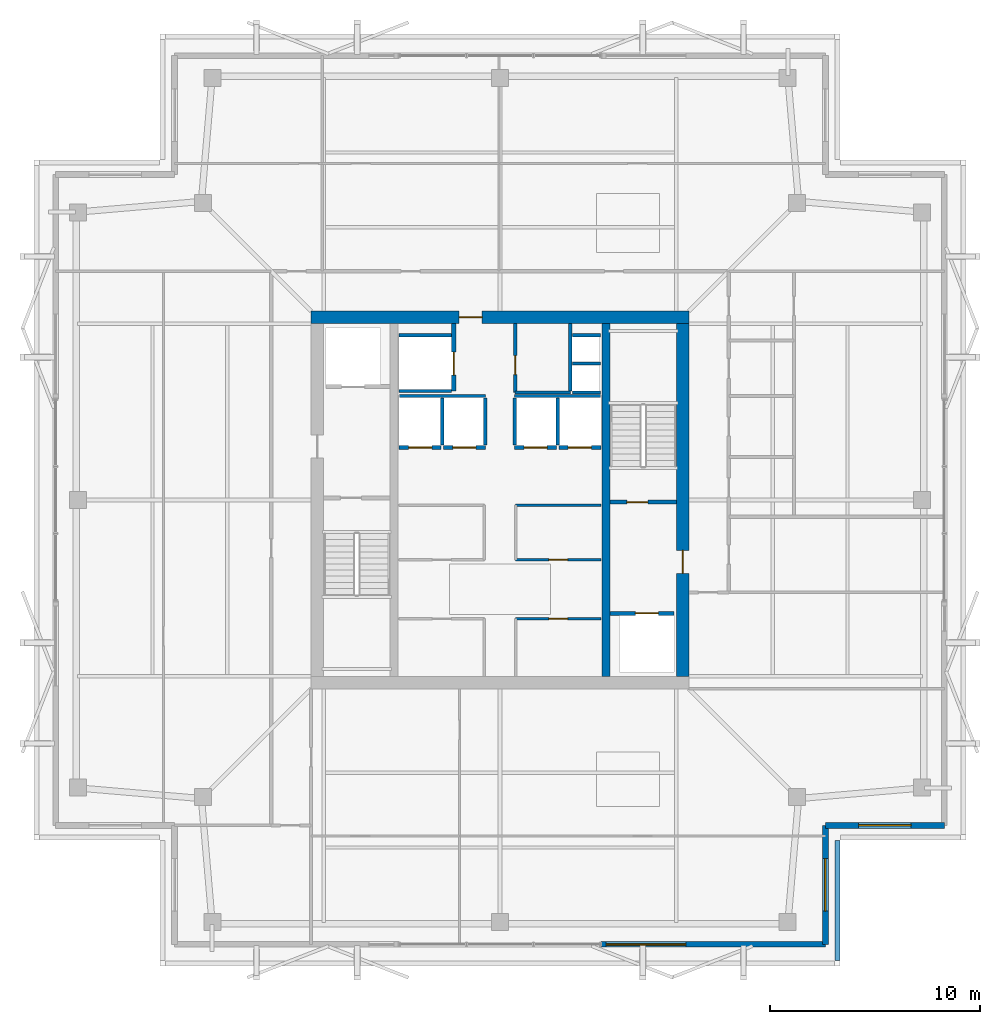
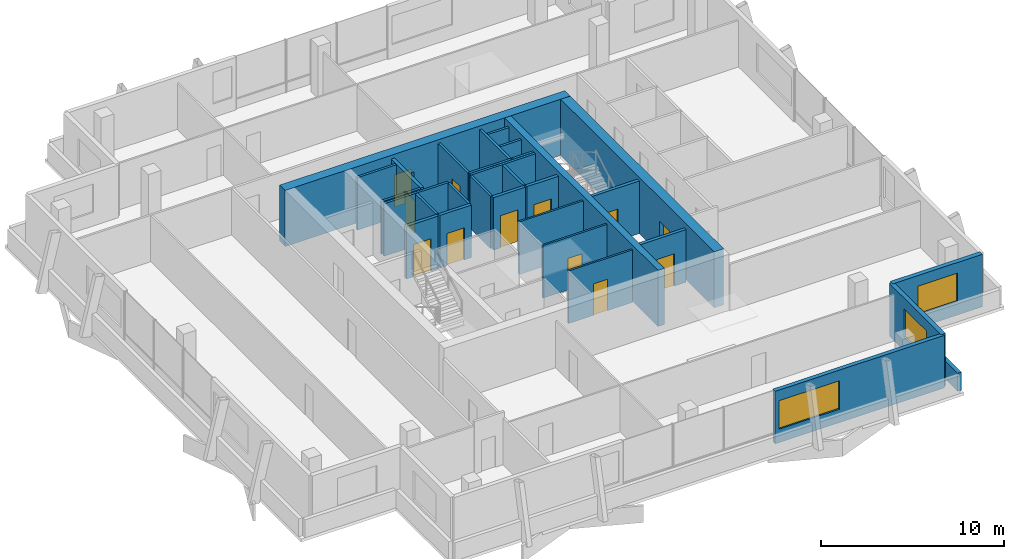
# One storey, part 15 of 18: 31 walls, 12 doors, 3 windows, 15 openings.
"""IFC4 building model written with IfcOpenShell, lengths in metres."""

from ifc_helpers import new_model, si_unit, direction, frame, frame_2d, origin, place, context, subcontext, project, spatial, rectangle, extrude, material, layer, layer_set, type_object, element, fill, save


model = new_model("IFC4")

# Units and contexts
model_context = context("Model", 3, precision=1e-05, world=origin(), true_north=direction((0.0, 1.0)))
body_context = subcontext(model_context, "Body", "Model", "MODEL_VIEW")
ifc_project = project(units=[si_unit("LENGTHUNIT", "METRE"), si_unit("AREAUNIT", "SQUARE_METRE"), si_unit("VOLUMEUNIT", "CUBIC_METRE"), si_unit("PLANEANGLEUNIT", "RADIAN"), si_unit("MASSUNIT", "GRAM", prefix="KILO")], contexts=[model_context])

# Site, building, storey
site_placement = place(None, origin())
site = spatial("IfcSite", under=ifc_project, at=site_placement, CompositionType="ELEMENT")
building_placement = place(site_placement, origin())
building = spatial("IfcBuilding", under=site, at=building_placement, Name="Belovzor Exchange Tower", CompositionType="ELEMENT")
storey_placement = place(building_placement, frame((0.0, 0.0, 344.25)))
storey = spatial("IfcBuildingStorey", under=building, at=storey_placement, Name="L86", CompositionType="ELEMENT", Elevation=344.25)

# Wall, opening, door
ifc_material_1 = material(Name="Fire-Rated Plasterboard on Galvanised Studs", Category="gypsum")
ifc_layer_1 = layer(ifc_material_1, 0.1201171875)
ifc_layer_set_1 = layer_set([ifc_layer_1], Name="Fire-Rated Plasterboard on Galvanised Studs")
wall_type_1 = type_object("IfcWallType", Name="Fire-Rated Double-Stud Partition Wall 120", PredefinedType="PARTITIONING", material=ifc_layer_set_1)
wall_1_placement = place(storey_placement, frame((29.550048828125, 23.14990234375, 0.0), z_axis=(0.0, 0.0, 1.0), x_axis=(1.0, 0.0, 0.0)))
wall_1 = element("IfcWall", 1, at=wall_1_placement, inside=storey, type_object=wall_type_1, Name="W-P120F Partition Wall W-CRL-L86-EN", PredefinedType="PARTITIONING", context=body_context, shape_type="SweptSolid", body=[
    extrude(rectangle(XDim=4.050048828125, YDim=0.1201171875, at=frame_2d((2.02490234375, 0.0))), origin(), (0.0, 0.0, 1.0), 3.510009765625),
])
opening_1_placement = place(wall_1_placement, frame((1.574951171875, 0.0, 0.0)))
opening_1 = element("IfcOpeningElement", 2, at=opening_1_placement, cuts=wall_1, Name="Opening D-FD60-090", PredefinedType="OPENING", context=body_context, shape_type="SweptSolid", body=[
    extrude(rectangle(XDim=0.89990234375, YDim=2.10009765625, at=frame_2d((0.449951171875, 1.050048828125))), frame((0.0, 0.070068359375, 0.0), z_axis=(0.0, -1.0, 0.0), x_axis=(1.0, 0.0, 0.0)), (0.0, 0.0, 1.0), 0.14013671875),
])
ifc_material_2 = material(Name="Acoustic Timber Fire Leaf", Category="wood")
door_type_1 = type_object("IfcDoorType", Name="Core Service & Restroom Fire Door 900x2100", OperationType="NOTDEFINED", PredefinedType="DOOR", material=ifc_material_2)
door_1_placement = place(opening_1_placement, origin())
door_1 = element("IfcDoor", 3, at=door_1_placement, inside=storey, type_object=door_type_1, Name="D-FD60-090 Core Service & Restroom Fire Door 900x2100", OperationType="SINGLE_SWING_RIGHT", OverallHeight=2.10009765625, OverallWidth=0.89990234375, PredefinedType="DOOR", context=body_context, shape_type="SweptSolid", body=[
    extrude(rectangle(XDim=0.89990234375, YDim=2.10009765625, at=frame_2d((0.449951171875, 1.050048828125))), frame((0.0, 0.02490234375, 0.0), z_axis=(0.0, -1.0, 0.0), x_axis=(1.0, 0.0, 0.0)), (0.0, 0.0, 1.0), 0.050048828125),
])
fill(opening_1, door_1)

wall_2_placement = place(storey_placement, frame((29.550048828125, 25.949951171875, 0.0), z_axis=(0.0, 0.0, 1.0), x_axis=(1.0, 0.0, 0.0)))
wall_2 = element("IfcWall", 4, at=wall_2_placement, inside=storey, type_object=wall_type_1, Name="W-P120F Partition Wall W-CRM-L86-ES", PredefinedType="PARTITIONING", context=body_context, shape_type="SweptSolid", body=[
    extrude(rectangle(XDim=4.050048828125, YDim=0.1201171875, at=frame_2d((2.02490234375, 0.0))), origin(), (0.0, 0.0, 1.0), 3.510009765625),
])
opening_2_placement = place(wall_2_placement, frame((1.574951171875, 0.0, 0.0)))
opening_2 = element("IfcOpeningElement", 5, at=opening_2_placement, cuts=wall_2, Name="Opening D-FD60-090", PredefinedType="OPENING", context=body_context, shape_type="SweptSolid", body=[
    extrude(rectangle(XDim=0.89990234375, YDim=2.10009765625, at=frame_2d((0.449951171875, 1.050048828125))), frame((0.0, 0.070068359375, 0.0), z_axis=(0.0, -1.0, 0.0), x_axis=(1.0, 0.0, 0.0)), (0.0, 0.0, 1.0), 0.14013671875),
])
door_2_placement = place(opening_2_placement, origin())
door_2 = element("IfcDoor", 6, at=door_2_placement, inside=storey, type_object=door_type_1, Name="D-FD60-090 Core Service & Restroom Fire Door 900x2100", OperationType="SINGLE_SWING_RIGHT", OverallHeight=2.10009765625, OverallWidth=0.89990234375, PredefinedType="DOOR", context=body_context, shape_type="SweptSolid", body=[
    extrude(rectangle(XDim=0.89990234375, YDim=2.10009765625, at=frame_2d((0.449951171875, 1.050048828125))), frame((0.0, 0.02490234375, 0.0), z_axis=(0.0, -1.0, 0.0), x_axis=(1.0, 0.0, 0.0)), (0.0, 0.0, 1.0), 0.050048828125),
])
fill(opening_2, door_2)

# Wall
wall_3_placement = place(storey_placement, frame((29.550048828125, 28.550048828125, 0.0), z_axis=(0.0, 0.0, 1.0), x_axis=(1.0, 0.0, 0.0)))
element("IfcWall", 7, at=wall_3_placement, inside=storey, type_object=wall_type_1, Name="W-P120F Partition Wall W-CRM-L86-EN", PredefinedType="PARTITIONING", context=body_context, shape_type="SweptSolid", body=[
    extrude(rectangle(XDim=4.050048828125, YDim=0.1201171875, at=frame_2d((2.02490234375, 0.0))), origin(), (0.0, 0.0, 1.0), 3.510009765625),
])

# Wall, opening, door
ifc_material_3 = material(Name="Fire-Rated Gypsum Block and Mineral Wool", Category="gypsum")
ifc_layer_2 = layer(ifc_material_3, 0.14990234375)
ifc_layer_set_2 = layer_set([ifc_layer_2], Name="Fire-Rated Gypsum Block and Mineral Wool")
wall_type_2 = type_object("IfcWallType", Name="Fire-Rated Gypsum Block Corridor Wall 150", PredefinedType="PARTITIONING", material=ifc_layer_set_2)
wall_4_placement = place(storey_placement, frame((29.52490234375, 33.925048828125, 0.0), z_axis=(0.0, 0.0, 1.0), x_axis=(0.0, 1.0, 0.0)))
wall_4 = element("IfcWall", 8, at=wall_4_placement, inside=storey, type_object=wall_type_2, Name="W-P150 Partition Wall W-CRV-L86-W", PredefinedType="PARTITIONING", context=body_context, shape_type="SweptSolid", body=[
    extrude(rectangle(XDim=3.27490234375, YDim=0.14990234375, at=frame_2d((1.637451171875, 0.0))), origin(), (0.0, 0.0, 1.0), 3.510009765625),
])
opening_3_placement = place(wall_4_placement, frame((0.85009765625, 0.0, 0.0)))
opening_3 = element("IfcOpeningElement", 9, at=opening_3_placement, cuts=wall_4, Name="Opening D-FD60-090", PredefinedType="OPENING", context=body_context, shape_type="SweptSolid", body=[
    extrude(rectangle(XDim=0.89990234375, YDim=2.10009765625, at=frame_2d((0.449951171875, 1.050048828125))), frame((0.0, 0.0849609375, 0.0), z_axis=(0.0, -1.0, 0.0), x_axis=(1.0, 0.0, 0.0)), (0.0, 0.0, 1.0), 0.169921875),
])
door_3_placement = place(opening_3_placement, origin())
door_3 = element("IfcDoor", 10, at=door_3_placement, inside=storey, type_object=door_type_1, Name="D-FD60-090 Core Service & Restroom Fire Door 900x2100", OperationType="SINGLE_SWING_LEFT", OverallHeight=2.10009765625, OverallWidth=0.89990234375, PredefinedType="DOOR", context=body_context, shape_type="SweptSolid", body=[
    extrude(rectangle(XDim=0.89990234375, YDim=2.10009765625, at=frame_2d((0.449951171875, 1.050048828125))), frame((0.0, 0.02490234375, 0.0), z_axis=(0.0, -1.0, 0.0), x_axis=(1.0, 0.0, 0.0)), (0.0, 0.0, 1.0), 0.050048828125),
])
fill(opening_3, door_3)

# Wall
wall_5_placement = place(storey_placement, frame((29.52490234375, 33.925048828125, 0.0), z_axis=(0.0, 0.0, 1.0), x_axis=(1.0, 0.0, 0.0)))
element("IfcWall", 11, at=wall_5_placement, inside=storey, type_object=wall_type_2, Name="W-P150 Partition Wall W-CRV-L86-S", PredefinedType="PARTITIONING", context=body_context, shape_type="SweptSolid", body=[
    extrude(rectangle(XDim=2.625, YDim=0.14990234375, at=frame_2d((1.3125, 0.0))), origin(), (0.0, 0.0, 1.0), 3.510009765625),
])

# Wall, opening, window
ifc_material_4 = material(Name="Precast concrete C40/50", Category="concrete")
ifc_layer_3 = layer(ifc_material_4, 0.280029296875)
ifc_layer_set_3 = layer_set([ifc_layer_3], Name="Precast concrete C40/50")
wall_type_3 = type_object("IfcWallType", Name="Precast Concrete Notched Corner Frame Wall 280", PredefinedType="SOLIDWALL", material=ifc_layer_set_3)
wall_6_placement = place(storey_placement, frame((49.969970703125, 13.300048828125, 0.0), z_axis=(0.0, 0.0, 1.0), x_axis=(-1.0, 0.0, 0.0)))
wall_6 = element("IfcWall", 12, at=wall_6_placement, inside=storey, type_object=wall_type_3, Name="W-CRN280 Precast Concrete Notched Corner Frame Wall 280 L86", PredefinedType="SOLIDWALL", context=body_context, shape_type="SweptSolid", body=[
    extrude(rectangle(XDim=5.669921875, YDim=0.280029296875, at=frame_2d((2.8349609375, 0.0))), origin(), (0.0, 0.0, 1.0), 3.510009765625),
])
opening_4_placement = place(wall_6_placement, frame((1.5849609375, 0.0, 0.89990234375)))
opening_4 = element("IfcOpeningElement", 13, at=opening_4_placement, cuts=wall_6, Name="Opening WN-CRN250", PredefinedType="OPENING", context=body_context, shape_type="SweptSolid", body=[
    extrude(rectangle(XDim=2.5, YDim=1.89990234375, at=frame_2d((1.25, 0.949951171875))), frame((0.0, 0.14990234375, 0.0), z_axis=(0.0, -1.0, 0.0), x_axis=(1.0, 0.0, 0.0)), (0.0, 0.0, 1.0), 0.300048828125),
])
ifc_material_5 = material(Name="Thermally Broken Aluminium and Triple Glazing", Category="aluminium")
window_type_1 = type_object("IfcWindowType", Name="Streamline Moderne Corner Wrap Ribbon Window 2500x1900", PartitioningType="SINGLE_PANEL", PredefinedType="WINDOW", material=ifc_material_5)
window_1_placement = place(opening_4_placement, origin())
window_1 = element("IfcWindow", 14, at=window_1_placement, inside=storey, type_object=window_type_1, Name="WN-CRN250 Streamline Moderne Corner Wrap Ribbon Window 2500x1900", OverallHeight=1.89990234375, OverallWidth=2.5, PartitioningType="SINGLE_PANEL", PredefinedType="WINDOW", context=body_context, shape_type="SweptSolid", body=[
    extrude(rectangle(XDim=2.5, YDim=1.89990234375, at=frame_2d((1.25, 0.949951171875))), frame((0.0, 0.030029296875, 0.0), z_axis=(0.0, -1.0, 0.0), x_axis=(1.0, 0.0, 0.0)), (0.0, 0.0, 1.0), 0.06005859375),
])
fill(opening_4, window_1)

wall_7_placement = place(storey_placement, frame((44.300048828125, 13.300048828125, 0.0), z_axis=(0.0, 0.0, 1.0), x_axis=(0.0, -1.0, 0.0)))
wall_7 = element("IfcWall", 15, at=wall_7_placement, inside=storey, type_object=wall_type_3, Name="W-CRN280 Precast Concrete Notched Corner Frame Wall 280 L86", PredefinedType="SOLIDWALL", context=body_context, shape_type="SweptSolid", body=[
    extrude(rectangle(XDim=5.670166015625, YDim=0.280029296875, at=frame_2d((2.8349609375, 0.0))), origin(), (0.0, 0.0, 1.0), 3.510009765625),
])
opening_5_placement = place(wall_7_placement, frame((1.5849609375, 0.0, 0.89990234375)))
opening_5 = element("IfcOpeningElement", 16, at=opening_5_placement, cuts=wall_7, Name="Opening WN-CRN250", PredefinedType="OPENING", context=body_context, shape_type="SweptSolid", body=[
    extrude(rectangle(XDim=2.5, YDim=1.89990234375, at=frame_2d((1.25, 0.949951171875))), frame((0.0, 0.14990234375, 0.0), z_axis=(0.0, -1.0, 0.0), x_axis=(1.0, 0.0, 0.0)), (0.0, 0.0, 1.0), 0.300048828125),
])
window_2_placement = place(opening_5_placement, origin())
window_2 = element("IfcWindow", 17, at=window_2_placement, inside=storey, type_object=window_type_1, Name="WN-CRN250 Streamline Moderne Corner Wrap Ribbon Window 2500x1900", OverallHeight=1.89990234375, OverallWidth=2.5, PartitioningType="SINGLE_PANEL", PredefinedType="WINDOW", context=body_context, shape_type="SweptSolid", body=[
    extrude(rectangle(XDim=2.5, YDim=1.89990234375, at=frame_2d((1.25, 0.949951171875))), frame((0.0, 0.030029296875, 0.0), z_axis=(0.0, -1.0, 0.0), x_axis=(1.0, 0.0, 0.0)), (0.0, 0.0, 1.0), 0.06005859375),
])
fill(opening_5, window_2)

ifc_material_6 = material(Name="Precast concrete C40/50", Category="concrete")
ifc_layer_4 = layer(ifc_material_6, 0.260009765625)
ifc_layer_set_4 = layer_set([ifc_layer_4], Name="Precast concrete C40/50")
wall_type_4 = type_object("IfcWallType", Name="Precast Concrete Perimeter Loggia Frame Wall 260", PredefinedType="SOLIDWALL", material=ifc_layer_set_4)
wall_8_placement = place(storey_placement, frame((44.300048828125, 7.6298828125, 0.0), z_axis=(0.0, 0.0, 1.0), x_axis=(-1.0, 0.0, 0.0)))
wall_8 = element("IfcWall", 18, at=wall_8_placement, inside=storey, type_object=wall_type_4, Name="W-EXT260 Precast Concrete Perimeter Loggia Frame Wall 260 L86", PredefinedType="SOLIDWALL", context=body_context, shape_type="SweptSolid", body=[
    extrude(rectangle(XDim=10.699951171875, YDim=0.260009765625, at=frame_2d((5.35009765625, 0.0))), origin(), (0.0, 0.0, 1.0), 3.510009765625),
])
opening_6_placement = place(wall_8_placement, frame((6.64990234375, 0.0, 0.89990234375)))
opening_6 = element("IfcOpeningElement", 19, at=opening_6_placement, cuts=wall_8, Name="Opening WN-RIB380", PredefinedType="OPENING", context=body_context, shape_type="SweptSolid", body=[
    extrude(rectangle(XDim=3.800048828125, YDim=1.89990234375, at=frame_2d((1.89990234375, 0.949951171875))), frame((0.0, 0.139892578125, 0.0), z_axis=(0.0, -1.0, 0.0), x_axis=(1.0, 0.0, 0.0)), (0.0, 0.0, 1.0), 0.280029296875),
])
ifc_material_7 = material(Name="Thermally Broken Aluminium and Triple Glazing", Category="aluminium")
window_type_2 = type_object("IfcWindowType", Name="Streamline Moderne Horizontal Ribbon Window 3800x1900", PartitioningType="SINGLE_PANEL", PredefinedType="WINDOW", material=ifc_material_7)
window_3_placement = place(opening_6_placement, origin())
window_3 = element("IfcWindow", 20, at=window_3_placement, inside=storey, type_object=window_type_2, Name="WN-RIB380 Streamline Moderne Horizontal Ribbon Window 3800x1900", OverallHeight=1.89990234375, OverallWidth=3.800048828125, PartitioningType="SINGLE_PANEL", PredefinedType="WINDOW", context=body_context, shape_type="SweptSolid", body=[
    extrude(rectangle(XDim=3.800048828125, YDim=1.89990234375, at=frame_2d((1.89990234375, 0.949951171875))), frame((0.0, 0.030029296875, 0.0), z_axis=(0.0, -1.0, 0.0), x_axis=(1.0, 0.0, 0.0)), (0.0, 0.0, 1.0), 0.06005859375),
])
fill(opening_6, window_3)

# Walls
ifc_material_8 = material(Name="Precast concrete C40/50", Category="concrete")
ifc_layer_5 = layer(ifc_material_8, 0.239990234375)
ifc_layer_set_5 = layer_set([ifc_layer_5], Name="Precast concrete C40/50")
wall_type_5 = type_object("IfcWallType", Name="Precast Stone Setback Roof Parapet Wall 240", PredefinedType="PARAPET", material=ifc_layer_set_5)
wall_9_placement = place(storey_placement, frame((44.8798828125, 6.85498046875, 0.0), z_axis=(0.0, 0.0, 1.0), x_axis=(0.0, 1.0, 0.0)))
element("IfcWall", 21, at=wall_9_placement, inside=storey, type_object=wall_type_5, Name="W-PAR240 Precast Stone Setback Roof Parapet Wall 240 L86", PredefinedType="PARAPET", context=body_context, shape_type="SweptSolid", body=[
    extrude(rectangle(XDim=5.72998046875, YDim=0.239990234375, at=frame_2d((2.864990234375, 0.0))), origin(), (0.0, 0.0, 1.0), 1.199951171875),
])
ifc_material_9 = material(Name="Concrete C50/60", Category="concrete")
ifc_layer_6 = layer(ifc_material_9, 0.39990234375)
ifc_layer_set_6 = layer_set([ifc_layer_6], Name="Concrete C50/60")
wall_type_6 = type_object("IfcWallType", Name="Reinforced Concrete Core Internal Web Wall 400", PredefinedType="SHEAR", material=ifc_layer_set_6)
wall_10_placement = place(storey_placement, frame((33.85009765625, 20.39990234375, 0.0), z_axis=(0.0, 0.0, 1.0), x_axis=(0.0, 1.0, 0.0)))
element("IfcWall", 22, at=wall_10_placement, inside=storey, type_object=wall_type_6, Name="CW-W040 Core Internal Web Wall L86 ER", PredefinedType="SHEAR", context=body_context, shape_type="SweptSolid", body=[
    extrude(rectangle(XDim=16.800048828125, YDim=0.39990234375, at=frame_2d((8.39990234375, 0.0))), origin(), (0.0, 0.0, 1.0), 3.75),
])
ifc_material_10 = material(Name="Concrete C50/60", Category="concrete")
ifc_layer_7 = layer(ifc_material_10, 0.14990234375)
ifc_layer_set_7 = layer_set([ifc_layer_7], Name="Concrete C50/60")
wall_type_7 = type_object("IfcWallType", Name="Reinforced Concrete Core Riser Shear Wall 150", PredefinedType="SHEAR", material=ifc_layer_set_7)
wall_11_placement = place(storey_placement, frame((32.14990234375, 34.0, 0.0), z_axis=(0.0, 0.0, 1.0), x_axis=(0.0, 1.0, 0.0)))
element("IfcWall", 23, at=wall_11_placement, inside=storey, type_object=wall_type_7, Name="W-C150S Core Shaft Wall W-RSR-L86-E", PredefinedType="SHEAR", context=body_context, shape_type="SweptSolid", body=[
    extrude(rectangle(XDim=3.199951171875, YDim=0.14990234375, at=frame_2d((1.60009765625, 0.0))), origin(), (0.0, 0.0, 1.0), 3.510009765625),
])
for number, where, z_axis, x_axis, name in (
    (24, (32.25, 33.925048828125, 0.0), (0.0, 0.0, 1.0), (1.0, 0.0, 0.0), "W-C150S Core Shaft Wall W-RSR-L86-S"),
    (25, (32.25, 35.300048828125, 0.0), (0.0, 0.0, 1.0), (1.0, 0.0, 0.0), "W-C150S Core Shaft Wall W-RSR-L86-M"),
):
    element("IfcWall", number, at=place(storey_placement, frame(where, z_axis=z_axis, x_axis=x_axis)), inside=storey, type_object=wall_type_7, Name=name, PredefinedType="SHEAR", context=body_context, shape_type="SweptSolid", body=[
        extrude(rectangle(XDim=1.330078125, YDim=0.14990234375, at=frame_2d((0.6650390625, 0.0))), origin(), (0.0, 0.0, 1.0), 3.510009765625),
    ])
for number, where, z_axis, x_axis, name in (
    (26, (24.0, 34.0, 0.0), (0.0, 0.0, 1.0), (1.0, 0.0, 0.0), "W-C150S Core Shaft Wall W-SH-L86-SL-01S"),
    (27, (24.0, 36.64990234375, 0.0), (0.0, 0.0, 1.0), (1.0, 0.0, 0.0), "W-C150S Core Shaft Wall W-SH-L86-SL-01N"),
):
    element("IfcWall", number, at=place(storey_placement, frame(where, z_axis=z_axis, x_axis=x_axis)), inside=storey, type_object=wall_type_7, Name=name, PredefinedType="SHEAR", context=body_context, shape_type="SweptSolid", body=[
        extrude(rectangle(XDim=2.47998046875, YDim=0.14990234375, at=frame_2d((1.239990234375, 0.0))), origin(), (0.0, 0.0, 1.0), 3.510009765625),
    ])
wall_12_placement = place(storey_placement, frame((32.25, 36.64990234375, 0.0), z_axis=(0.0, 0.0, 1.0), x_axis=(1.0, 0.0, 0.0)))
element("IfcWall", 28, at=wall_12_placement, inside=storey, type_object=wall_type_7, Name="W-C150S Core Shaft Wall W-RSR-L86-N", PredefinedType="SHEAR", context=body_context, shape_type="SweptSolid", body=[
    extrude(rectangle(XDim=1.330078125, YDim=0.14990234375, at=frame_2d((0.6650390625, 0.0))), origin(), (0.0, 0.0, 1.0), 3.510009765625),
])
for number, where, z_axis, x_axis, name in (
    (29, (24.02001953125, 33.760009765625, 0.0), (0.0, 0.0, 1.0), (1.0, 0.0, 0.0), "W-C150S Core Shaft Wall W-SHB-L86-PLH-NW"),
    (30, (29.5, 33.760009765625, 0.0), (0.0, 0.0, 1.0), (1.0, 0.0, 0.0), "W-C150S Core Shaft Wall W-SHB-L86-PLH-NE"),
):
    element("IfcWall", number, at=place(storey_placement, frame(where, z_axis=z_axis, x_axis=x_axis)), inside=storey, type_object=wall_type_7, Name=name, PredefinedType="SHEAR", context=body_context, shape_type="SweptSolid", body=[
        extrude(rectangle(XDim=4.080078125, YDim=0.14990234375, at=frame_2d((2.0400390625, 0.0))), origin(), (0.0, 0.0, 1.0), 3.510009765625),
    ])
for number, where, z_axis, x_axis, name in (
    (31, (26.050048828125, 31.419921875, 0.0), (0.0, 0.0, 1.0), (0.0, 1.0, 0.0), "W-C150S Core Shaft Wall W-SHD-L86-PLH-1"),
    (32, (28.10009765625, 31.419921875, 0.0), (0.0, 0.0, 1.0), (0.0, 1.0, 0.0), "W-C150S Core Shaft Wall W-SHD-L86-PLH-2"),
    (33, (29.5, 31.419921875, 0.0), (0.0, 0.0, 1.0), (0.0, 1.0, 0.0), "W-C150S Core Shaft Wall W-SHD-L86-PLH-3"),
    (34, (31.550048828125, 31.419921875, 0.0), (0.0, 0.0, 1.0), (0.0, 1.0, 0.0), "W-C150S Core Shaft Wall W-SHD-L86-PLH-4"),
):
    element("IfcWall", number, at=place(storey_placement, frame(where, z_axis=z_axis, x_axis=x_axis)), inside=storey, type_object=wall_type_7, Name=name, PredefinedType="SHEAR", context=body_context, shape_type="SweptSolid", body=[
        extrude(rectangle(XDim=2.239990234375, YDim=0.14990234375, at=frame_2d((1.1201171875, 0.0))), origin(), (0.0, 0.0, 1.0), 3.510009765625),
    ])

# Wall, opening, door
ifc_material_11 = material(Name="Concrete C50/60", Category="concrete")
ifc_layer_8 = layer(ifc_material_11, 0.199951171875)
ifc_layer_set_8 = layer_set([ifc_layer_8], Name="Concrete C50/60")
wall_type_8 = type_object("IfcWallType", Name="Reinforced Concrete Core Shaft Shear Wall 200", PredefinedType="SHEAR", material=ifc_layer_set_8)
wall_13_placement = place(storey_placement, frame((34.050048828125, 28.699951171875, 0.0), z_axis=(0.0, 0.0, 1.0), x_axis=(1.0, 0.0, 0.0)))
wall_13 = element("IfcWall", 35, at=wall_13_placement, inside=storey, type_object=wall_type_8, Name="W-C200S Core Shaft Wall W-CORE-L86-FFLE2", PredefinedType="SHEAR", context=body_context, shape_type="SweptSolid", body=[
    extrude(rectangle(XDim=3.14990234375, YDim=0.199951171875, at=frame_2d((1.574951171875, 0.0))), origin(), (0.0, 0.0, 1.0), 3.510009765625),
])
opening_7_placement = place(wall_13_placement, frame((0.800048828125, 0.0, 0.0)))
opening_7 = element("IfcOpeningElement", 36, at=opening_7_placement, cuts=wall_13, Name="Opening D-FD90-100", PredefinedType="OPENING", context=body_context, shape_type="SweptSolid", body=[
    extrude(rectangle(XDim=1.0, YDim=2.10009765625, at=frame_2d((0.5, 1.050048828125))), frame((0.0, 0.10986328125, 0.0), z_axis=(0.0, -1.0, 0.0), x_axis=(1.0, 0.0, 0.0)), (0.0, 0.0, 1.0), 0.219970703125),
])
ifc_material_12 = material(Name="Fire-Rated Galvanised Steel Leaf", Category="steel")
door_type_2 = type_object("IfcDoorType", Name="Protected Stairwell Single Fire Door 1000x2100", OperationType="NOTDEFINED", PredefinedType="DOOR", material=ifc_material_12)
door_4_placement = place(opening_7_placement, origin())
door_4 = element("IfcDoor", 37, at=door_4_placement, inside=storey, type_object=door_type_2, Name="D-FD90-100 Protected Stairwell Single Fire Door 1000x2100", OperationType="SINGLE_SWING_LEFT", OverallHeight=2.10009765625, OverallWidth=1.0, PredefinedType="DOOR", context=body_context, shape_type="SweptSolid", body=[
    extrude(rectangle(XDim=1.0, YDim=2.10009765625, at=frame_2d((0.5, 1.050048828125))), frame((0.0, 0.02490234375, 0.0), z_axis=(0.0, -1.0, 0.0), x_axis=(1.0, 0.0, 0.0)), (0.0, 0.0, 1.0), 0.050048828125),
])
fill(opening_7, door_4)

wall_14_placement = place(storey_placement, frame((34.050048828125, 23.39990234375, 0.0), z_axis=(0.0, 0.0, 1.0), x_axis=(1.0, 0.0, 0.0)))
wall_14 = element("IfcWall", 38, at=wall_14_placement, inside=storey, type_object=wall_type_8, Name="W-C200S Core Shaft Wall W-SH-L86-FFL-02", PredefinedType="SHEAR", context=body_context, shape_type="SweptSolid", body=[
    extrude(rectangle(XDim=3.050048828125, YDim=0.199951171875, at=frame_2d((1.52490234375, 0.0))), origin(), (0.0, 0.0, 1.0), 3.510009765625),
])
opening_8_placement = place(wall_14_placement, frame((1.199951171875, 0.0, 0.0)))
opening_8 = element("IfcOpeningElement", 39, at=opening_8_placement, cuts=wall_14, Name="Opening LD-110", PredefinedType="OPENING", context=body_context, shape_type="SweptSolid", body=[
    extrude(rectangle(XDim=1.10009765625, YDim=2.14990234375, at=frame_2d((0.550048828125, 1.074951171875))), frame((0.0, 0.10986328125, 0.0), z_axis=(0.0, -1.0, 0.0), x_axis=(1.0, 0.0, 0.0)), (0.0, 0.0, 1.0), 0.219970703125),
])
ifc_material_13 = material(Name="Stainless Steel Grade 304", Category="steel")
door_type_3 = type_object("IfcDoorType", Name="Automated Stainless Steel Lift Landing Door 1100x2150", OperationType="SLIDING_TO_RIGHT", PredefinedType="DOOR", material=ifc_material_13)
door_5_placement = place(opening_8_placement, origin())
door_5 = element("IfcDoor", 40, at=door_5_placement, inside=storey, type_object=door_type_3, Name="LD-110 Automated Stainless Steel Lift Landing Door 1100x2150", OperationType="SLIDING_TO_RIGHT", OverallHeight=2.14990234375, OverallWidth=1.10009765625, PredefinedType="DOOR", context=body_context, shape_type="SweptSolid", body=[
    extrude(rectangle(XDim=1.10009765625, YDim=2.14990234375, at=frame_2d((0.550048828125, 1.074951171875))), frame((0.0, 0.02490234375, 0.0), z_axis=(0.0, -1.0, 0.0), x_axis=(1.0, 0.0, 0.0)), (0.0, 0.0, 1.0), 0.050048828125),
])
fill(opening_8, door_5)

wall_15_placement = place(storey_placement, frame((26.60009765625, 34.0, 0.0), z_axis=(0.0, 0.0, 1.0), x_axis=(0.0, 1.0, 0.0)))
wall_15 = element("IfcWall", 41, at=wall_15_placement, inside=storey, type_object=wall_type_8, Name="W-C200S Core Shaft Wall W-SH-L86-SL-01", PredefinedType="SHEAR", context=body_context, shape_type="SweptSolid", body=[
    extrude(rectangle(XDim=3.199951171875, YDim=0.199951171875, at=frame_2d((1.60009765625, 0.0))), origin(), (0.0, 0.0, 1.0), 3.510009765625),
])
opening_9_placement = place(wall_15_placement, frame((0.75, 0.0, 0.0)))
opening_9 = element("IfcOpeningElement", 42, at=opening_9_placement, cuts=wall_15, Name="Opening LD-110", PredefinedType="OPENING", context=body_context, shape_type="SweptSolid", body=[
    extrude(rectangle(XDim=1.10009765625, YDim=2.14990234375, at=frame_2d((0.550048828125, 1.074951171875))), frame((0.0, 0.10986328125, 0.0), z_axis=(0.0, -1.0, 0.0), x_axis=(1.0, 0.0, 0.0)), (0.0, 0.0, 1.0), 0.219970703125),
])
door_6_placement = place(opening_9_placement, origin())
door_6 = element("IfcDoor", 43, at=door_6_placement, inside=storey, type_object=door_type_3, Name="LD-110 Automated Stainless Steel Lift Landing Door 1100x2150", OperationType="SLIDING_TO_RIGHT", OverallHeight=2.14990234375, OverallWidth=1.10009765625, PredefinedType="DOOR", context=body_context, shape_type="SweptSolid", body=[
    extrude(rectangle(XDim=1.10009765625, YDim=2.14990234375, at=frame_2d((0.550048828125, 1.074951171875))), frame((0.0, 0.02490234375, 0.0), z_axis=(0.0, -1.0, 0.0), x_axis=(1.0, 0.0, 0.0)), (0.0, 0.0, 1.0), 0.050048828125),
])
fill(opening_9, door_6)

wall_16_placement = place(storey_placement, frame((24.0, 31.300048828125, 0.0), z_axis=(0.0, 0.0, 1.0), x_axis=(1.0, 0.0, 0.0)))
wall_16 = element("IfcWall", 44, at=wall_16_placement, inside=storey, type_object=wall_type_8, Name="W-C200S Core Shaft Wall W-SH-L86-PL-H1", PredefinedType="SHEAR", context=body_context, shape_type="SweptSolid", body=[
    extrude(rectangle(XDim=2.0, YDim=0.199951171875, at=frame_2d((1.0, 0.0))), origin(), (0.0, 0.0, 1.0), 3.510009765625),
])
opening_10_placement = place(wall_16_placement, frame((0.449951171875, 0.0, 0.0)))
opening_10 = element("IfcOpeningElement", 45, at=opening_10_placement, cuts=wall_16, Name="Opening LD-110", PredefinedType="OPENING", context=body_context, shape_type="SweptSolid", body=[
    extrude(rectangle(XDim=1.10009765625, YDim=2.14990234375, at=frame_2d((0.550048828125, 1.074951171875))), frame((0.0, 0.10986328125, 0.0), z_axis=(0.0, -1.0, 0.0), x_axis=(1.0, 0.0, 0.0)), (0.0, 0.0, 1.0), 0.219970703125),
])
door_7_placement = place(opening_10_placement, origin())
door_7 = element("IfcDoor", 46, at=door_7_placement, inside=storey, type_object=door_type_3, Name="LD-110 Automated Stainless Steel Lift Landing Door 1100x2150", OperationType="SLIDING_TO_RIGHT", OverallHeight=2.14990234375, OverallWidth=1.10009765625, PredefinedType="DOOR", context=body_context, shape_type="SweptSolid", body=[
    extrude(rectangle(XDim=1.10009765625, YDim=2.14990234375, at=frame_2d((0.550048828125, 1.074951171875))), frame((0.0, 0.02490234375, 0.0), z_axis=(0.0, -1.0, 0.0), x_axis=(1.0, 0.0, 0.0)), (0.0, 0.0, 1.0), 0.050048828125),
])
fill(opening_10, door_7)

wall_17_placement = place(storey_placement, frame((26.10009765625, 31.300048828125, 0.0), z_axis=(0.0, 0.0, 1.0), x_axis=(1.0, 0.0, 0.0)))
wall_17 = element("IfcWall", 47, at=wall_17_placement, inside=storey, type_object=wall_type_8, Name="W-C200S Core Shaft Wall W-SH-L86-PL-H2", PredefinedType="SHEAR", context=body_context, shape_type="SweptSolid", body=[
    extrude(rectangle(XDim=2.0, YDim=0.199951171875, at=frame_2d((1.0, 0.0))), origin(), (0.0, 0.0, 1.0), 3.510009765625),
])
opening_11_placement = place(wall_17_placement, frame((0.449951171875, 0.0, 0.0)))
opening_11 = element("IfcOpeningElement", 48, at=opening_11_placement, cuts=wall_17, Name="Opening LD-110", PredefinedType="OPENING", context=body_context, shape_type="SweptSolid", body=[
    extrude(rectangle(XDim=1.10009765625, YDim=2.14990234375, at=frame_2d((0.550048828125, 1.074951171875))), frame((0.0, 0.10986328125, 0.0), z_axis=(0.0, -1.0, 0.0), x_axis=(1.0, 0.0, 0.0)), (0.0, 0.0, 1.0), 0.219970703125),
])
door_8_placement = place(opening_11_placement, origin())
door_8 = element("IfcDoor", 49, at=door_8_placement, inside=storey, type_object=door_type_3, Name="LD-110 Automated Stainless Steel Lift Landing Door 1100x2150", OperationType="SLIDING_TO_RIGHT", OverallHeight=2.14990234375, OverallWidth=1.10009765625, PredefinedType="DOOR", context=body_context, shape_type="SweptSolid", body=[
    extrude(rectangle(XDim=1.10009765625, YDim=2.14990234375, at=frame_2d((0.550048828125, 1.074951171875))), frame((0.0, 0.02490234375, 0.0), z_axis=(0.0, -1.0, 0.0), x_axis=(1.0, 0.0, 0.0)), (0.0, 0.0, 1.0), 0.050048828125),
])
fill(opening_11, door_8)

wall_18_placement = place(storey_placement, frame((29.5, 31.300048828125, 0.0), z_axis=(0.0, 0.0, 1.0), x_axis=(1.0, 0.0, 0.0)))
wall_18 = element("IfcWall", 50, at=wall_18_placement, inside=storey, type_object=wall_type_8, Name="W-C200S Core Shaft Wall W-SH-L86-PL-H3", PredefinedType="SHEAR", context=body_context, shape_type="SweptSolid", body=[
    extrude(rectangle(XDim=2.0, YDim=0.199951171875, at=frame_2d((1.0, 0.0))), origin(), (0.0, 0.0, 1.0), 3.510009765625),
])
opening_12_placement = place(wall_18_placement, frame((0.449951171875, 0.0, 0.0)))
opening_12 = element("IfcOpeningElement", 51, at=opening_12_placement, cuts=wall_18, Name="Opening LD-110", PredefinedType="OPENING", context=body_context, shape_type="SweptSolid", body=[
    extrude(rectangle(XDim=1.10009765625, YDim=2.14990234375, at=frame_2d((0.550048828125, 1.074951171875))), frame((0.0, 0.10986328125, 0.0), z_axis=(0.0, -1.0, 0.0), x_axis=(1.0, 0.0, 0.0)), (0.0, 0.0, 1.0), 0.219970703125),
])
door_9_placement = place(opening_12_placement, origin())
door_9 = element("IfcDoor", 52, at=door_9_placement, inside=storey, type_object=door_type_3, Name="LD-110 Automated Stainless Steel Lift Landing Door 1100x2150", OperationType="SLIDING_TO_RIGHT", OverallHeight=2.14990234375, OverallWidth=1.10009765625, PredefinedType="DOOR", context=body_context, shape_type="SweptSolid", body=[
    extrude(rectangle(XDim=1.10009765625, YDim=2.14990234375, at=frame_2d((0.550048828125, 1.074951171875))), frame((0.0, 0.02490234375, 0.0), z_axis=(0.0, -1.0, 0.0), x_axis=(1.0, 0.0, 0.0)), (0.0, 0.0, 1.0), 0.050048828125),
])
fill(opening_12, door_9)

wall_19_placement = place(storey_placement, frame((31.60009765625, 31.300048828125, 0.0), z_axis=(0.0, 0.0, 1.0), x_axis=(1.0, 0.0, 0.0)))
wall_19 = element("IfcWall", 53, at=wall_19_placement, inside=storey, type_object=wall_type_8, Name="W-C200S Core Shaft Wall W-SH-L86-PL-H4", PredefinedType="SHEAR", context=body_context, shape_type="SweptSolid", body=[
    extrude(rectangle(XDim=2.0, YDim=0.199951171875, at=frame_2d((1.0, 0.0))), origin(), (0.0, 0.0, 1.0), 3.510009765625),
])
opening_13_placement = place(wall_19_placement, frame((0.449951171875, 0.0, 0.0)))
opening_13 = element("IfcOpeningElement", 54, at=opening_13_placement, cuts=wall_19, Name="Opening LD-110", PredefinedType="OPENING", context=body_context, shape_type="SweptSolid", body=[
    extrude(rectangle(XDim=1.10009765625, YDim=2.14990234375, at=frame_2d((0.550048828125, 1.074951171875))), frame((0.0, 0.10986328125, 0.0), z_axis=(0.0, -1.0, 0.0), x_axis=(1.0, 0.0, 0.0)), (0.0, 0.0, 1.0), 0.219970703125),
])
door_10_placement = place(opening_13_placement, origin())
door_10 = element("IfcDoor", 55, at=door_10_placement, inside=storey, type_object=door_type_3, Name="LD-110 Automated Stainless Steel Lift Landing Door 1100x2150", OperationType="SLIDING_TO_RIGHT", OverallHeight=2.14990234375, OverallWidth=1.10009765625, PredefinedType="DOOR", context=body_context, shape_type="SweptSolid", body=[
    extrude(rectangle(XDim=1.10009765625, YDim=2.14990234375, at=frame_2d((0.550048828125, 1.074951171875))), frame((0.0, 0.02490234375, 0.0), z_axis=(0.0, -1.0, 0.0), x_axis=(1.0, 0.0, 0.0)), (0.0, 0.0, 1.0), 0.050048828125),
])
fill(opening_13, door_10)

ifc_material_14 = material(Name="Concrete C50/60", Category="concrete")
ifc_layer_9 = layer(ifc_material_14, 0.60009765625)
ifc_layer_set_9 = layer_set([ifc_layer_9], Name="Concrete C50/60")
wall_type_9 = type_object("IfcWallType", Name="Reinforced Concrete Core Shear Wall 600", PredefinedType="SHEAR", material=ifc_layer_set_9)
wall_20_placement = place(storey_placement, frame((19.800048828125, 37.5, 0.0), z_axis=(0.0, 0.0, 1.0), x_axis=(1.0, 0.0, 0.0)))
wall_20 = element("IfcWall", 56, at=wall_20_placement, inside=storey, type_object=wall_type_9, Name="CW-S060 Core Shear Wall L86 N", PredefinedType="SHEAR", context=body_context, shape_type="SweptSolid", body=[
    extrude(rectangle(XDim=18.0, YDim=0.60009765625, at=frame_2d((9.0, 0.0))), origin(), (0.0, 0.0, 1.0), 3.75),
])
opening_14_placement = place(wall_20_placement, frame((7.050048828125, 0.0, 0.0)))
opening_14 = element("IfcOpeningElement", 57, at=opening_14_placement, cuts=wall_20, Name="Opening D-FD90-110", PredefinedType="OPENING", context=body_context, shape_type="SweptSolid", body=[
    extrude(rectangle(XDim=1.10009765625, YDim=2.14990234375, at=frame_2d((0.550048828125, 1.074951171875))), frame((0.0, 0.31005859375, 0.0), z_axis=(0.0, -1.0, 0.0), x_axis=(1.0, 0.0, 0.0)), (0.0, 0.0, 1.0), 0.6201171875),
])
ifc_material_15 = material(Name="Fire-Rated Galvanised Steel Leaf", Category="steel")
door_type_4 = type_object("IfcDoorType", Name="Protected Escape Vestibule Fire Door 1100x2150", OperationType="NOTDEFINED", PredefinedType="DOOR", material=ifc_material_15)
door_11_placement = place(opening_14_placement, origin())
door_11 = element("IfcDoor", 58, at=door_11_placement, inside=storey, type_object=door_type_4, Name="D-FD90-110 Protected Escape Vestibule Fire Door 1100x2150", OperationType="SINGLE_SWING_LEFT", OverallHeight=2.14990234375, OverallWidth=1.10009765625, PredefinedType="DOOR", context=body_context, shape_type="SweptSolid", body=[
    extrude(rectangle(XDim=1.10009765625, YDim=2.14990234375, at=frame_2d((0.550048828125, 1.074951171875))), frame((0.0, 0.02490234375, 0.0), z_axis=(0.0, -1.0, 0.0), x_axis=(1.0, 0.0, 0.0)), (0.0, 0.0, 1.0), 0.050048828125),
])
fill(opening_14, door_11)

wall_21_placement = place(storey_placement, frame((37.5, 20.39990234375, 0.0), z_axis=(0.0, 0.0, 1.0), x_axis=(0.0, 1.0, 0.0)))
wall_21 = element("IfcWall", 59, at=wall_21_placement, inside=storey, type_object=wall_type_9, Name="CW-S060 Core Shear Wall L86 E", PredefinedType="SHEAR", context=body_context, shape_type="SweptSolid", body=[
    extrude(rectangle(XDim=16.800048828125, YDim=0.60009765625, at=frame_2d((8.39990234375, 0.0))), origin(), (0.0, 0.0, 1.0), 3.75),
])
opening_15_placement = place(wall_21_placement, frame((4.89990234375, 0.0, 0.0)))
opening_15 = element("IfcOpeningElement", 60, at=opening_15_placement, cuts=wall_21, Name="Opening D-FD90-110", PredefinedType="OPENING", context=body_context, shape_type="SweptSolid", body=[
    extrude(rectangle(XDim=1.10009765625, YDim=2.14990234375, at=frame_2d((0.550048828125, 1.074951171875))), frame((0.0, 0.31005859375, 0.0), z_axis=(0.0, -1.0, 0.0), x_axis=(1.0, 0.0, 0.0)), (0.0, 0.0, 1.0), 0.6201171875),
])
door_12_placement = place(opening_15_placement, origin())
door_12 = element("IfcDoor", 61, at=door_12_placement, inside=storey, type_object=door_type_4, Name="D-FD90-110 Protected Escape Vestibule Fire Door 1100x2150", OperationType="SINGLE_SWING_RIGHT", OverallHeight=2.14990234375, OverallWidth=1.10009765625, PredefinedType="DOOR", context=body_context, shape_type="SweptSolid", body=[
    extrude(rectangle(XDim=1.10009765625, YDim=2.14990234375, at=frame_2d((0.550048828125, 1.074951171875))), frame((0.0, 0.02490234375, 0.0), z_axis=(0.0, -1.0, 0.0), x_axis=(1.0, 0.0, 0.0)), (0.0, 0.0, 1.0), 0.050048828125),
])
fill(opening_15, door_12)

save(model, "model.ifc")
